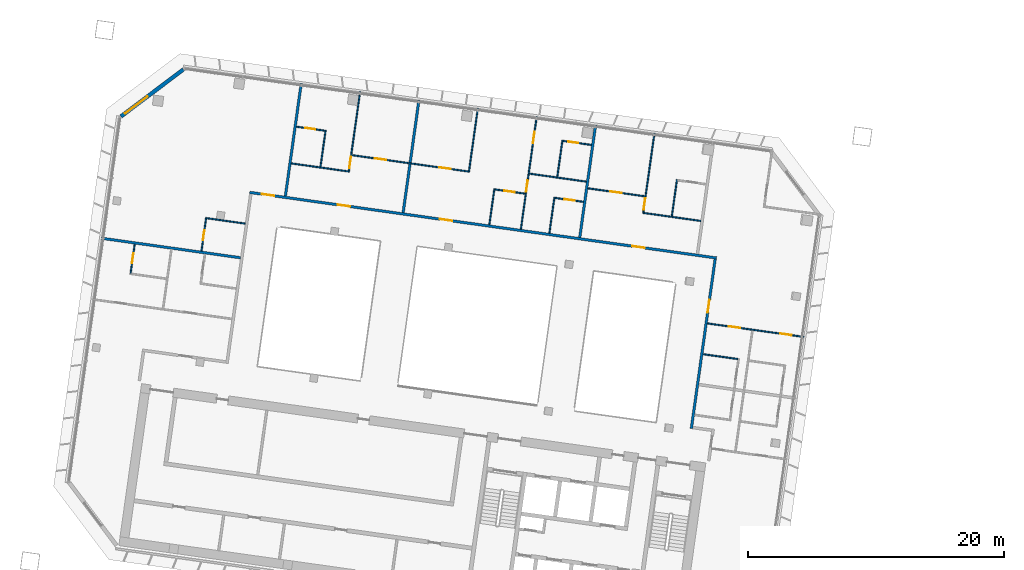
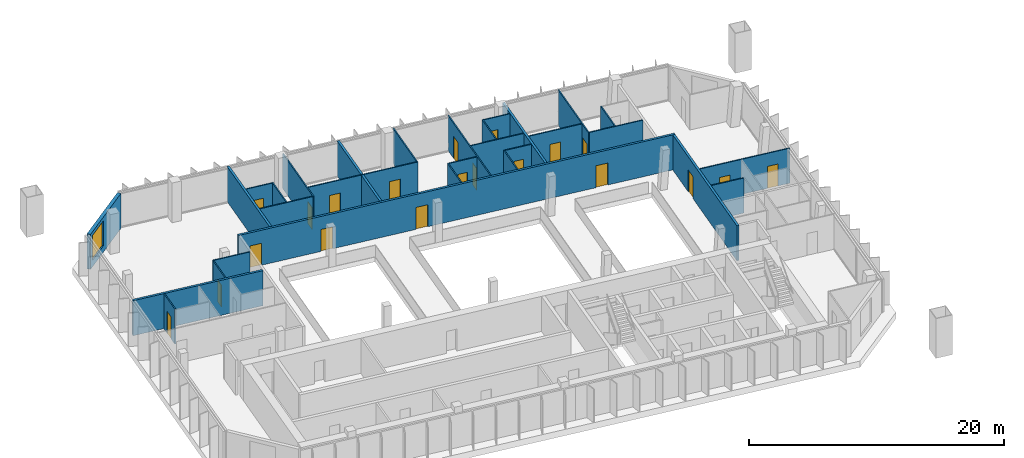
# One storey, part 15 of 23: 30 walls, 20 doors, 1 window, 21 openings.
"""IFC4 building model written with IfcOpenShell, lengths in metres."""

from ifc_helpers import new_model, si_unit, direction, frame, frame_2d, origin, place, context, subcontext, project, spatial, rectangle, extrude, material, layer, layer_set, type_object, element, fill, save


model = new_model("IFC4")

# Units and contexts
model_context = context("Model", 3, precision=1e-05, world=origin(), true_north=direction((0.0, 1.0)))
body_context = subcontext(model_context, "Body", "Model", "MODEL_VIEW")
ifc_project = project(units=[si_unit("LENGTHUNIT", "METRE"), si_unit("AREAUNIT", "SQUARE_METRE"), si_unit("VOLUMEUNIT", "CUBIC_METRE"), si_unit("PLANEANGLEUNIT", "RADIAN"), si_unit("MASSUNIT", "GRAM", prefix="KILO")], contexts=[model_context])

# Site, building, storey
site_placement = place(None, origin())
site = spatial("IfcSite", under=ifc_project, at=site_placement, CompositionType="ELEMENT")
building_placement = place(site_placement, origin())
building = spatial("IfcBuilding", under=site, at=building_placement, Name="Mirante Cascada Hotel Towers", CompositionType="ELEMENT")
storey_placement = place(building_placement, frame((0.0, 0.0, 187.8)))
storey = spatial("IfcBuildingStorey", under=building, at=storey_placement, Name="L44", CompositionType="ELEMENT", Elevation=187.8)

# Wall
ifc_material_1 = material(Name="Fire-rated plasterboard on metal studs")
ifc_layer_1 = layer(ifc_material_1, 0.2)
ifc_layer_set_1 = layer_set([ifc_layer_1], Name="Compartment wall 200 EI 120")
wall_type_1 = type_object("IfcWallType", Name="Compartment wall 200 EI 120", PredefinedType="PARTITIONING", material=ifc_layer_set_1)
wall_1_placement = place(storey_placement, frame((-82.8018, 10.3016, 0.0), z_axis=(0.0, 0.0, 1.0), x_axis=(0.990268, -0.1391733, 0.0)))
element("IfcWall", 1, at=wall_1_placement, inside=storey, type_object=wall_type_1, Name="Wall 1-L44-14", PredefinedType="PARTITIONING", context=body_context, shape_type="SweptSolid", body=[
    extrude(rectangle(XDim=11.0, YDim=0.2, at=frame_2d((5.5, 0.0))), origin(), (0.0, 0.0, 1.0), 3.35),
])

# Wall, openings, doors
wall_2_placement = place(storey_placement, frame((-71.1898, 13.8871, 0.0), z_axis=(0.0, 0.0, 1.0), x_axis=(0.990268, -0.1391734, 0.0)))
wall_2 = element("IfcWall", 2, at=wall_2_placement, inside=storey, type_object=wall_type_1, Name="Wall 1-L44-16", PredefinedType="PARTITIONING", context=body_context, shape_type="SweptSolid", body=[
    extrude(rectangle(XDim=36.9, YDim=0.2, at=frame_2d((18.45, 0.0))), origin(), (0.0, 0.0, 1.0), 3.35),
])
opening_1_placement = place(wall_2_placement, frame((30.2218, 0.0, 0.0)))
opening_1 = element("IfcOpeningElement", 3, at=opening_1_placement, cuts=wall_2, Name="Opening D1-L44-08", PredefinedType="OPENING", context=body_context, shape_type="SweptSolid", body=[
    extrude(rectangle(XDim=1.0, YDim=2.1, at=frame_2d((0.5, 1.05))), frame((0.0, 0.1, 0.0), z_axis=(0.0, -1.0, 0.0), x_axis=(1.0, 0.0, 0.0)), (0.0, 0.0, 1.0), 0.2),
])
opening_2_placement = place(wall_2_placement, frame((15.0172, 0.0, 0.0)))
opening_2 = element("IfcOpeningElement", 4, at=opening_2_placement, cuts=wall_2, Name="Opening D1-L44-09", PredefinedType="OPENING", context=body_context, shape_type="SweptSolid", body=[
    extrude(rectangle(XDim=1.0, YDim=2.1, at=frame_2d((0.5, 1.05))), frame((0.0, 0.1, 0.0), z_axis=(0.0, -1.0, 0.0), x_axis=(1.0, 0.0, 0.0)), (0.0, 0.0, 1.0), 0.2),
])
opening_3_placement = place(wall_2_placement, frame((6.9582, 0.0, 0.0)))
opening_3 = element("IfcOpeningElement", 5, at=opening_3_placement, cuts=wall_2, Name="Opening D1-L44-10", PredefinedType="OPENING", context=body_context, shape_type="SweptSolid", body=[
    extrude(rectangle(XDim=1.0, YDim=2.1, at=frame_2d((0.5, 1.05))), frame((0.0, 0.1, 0.0), z_axis=(0.0, -1.0, 0.0), x_axis=(1.0, 0.0, 0.0)), (0.0, 0.0, 1.0), 0.2),
])
opening_4_placement = place(wall_2_placement, frame((0.9528, 0.0, 0.0)))
opening_4 = element("IfcOpeningElement", 6, at=opening_4_placement, cuts=wall_2, Name="Opening D1-L44-11", PredefinedType="OPENING", context=body_context, shape_type="SweptSolid", body=[
    extrude(rectangle(XDim=1.0, YDim=2.1, at=frame_2d((0.5, 1.05))), frame((0.0, 0.1, 0.0), z_axis=(0.0, -1.0, 0.0), x_axis=(1.0, 0.0, 0.0)), (0.0, 0.0, 1.0), 0.2),
])
ifc_material_2 = material(Name="Fire-rated timber door leaf", Category="wood")
door_type_1 = type_object("IfcDoorType", Name="Entrance door DG1 1000x2100 EI 60", OperationType="SINGLE_SWING_LEFT", PredefinedType="DOOR", material=ifc_material_2)
door_1_placement = place(opening_1_placement, origin())
door_1 = element("IfcDoor", 7, at=door_1_placement, inside=storey, type_object=door_type_1, Name="Door D1-L44-08", OperationType="SINGLE_SWING_LEFT", OverallHeight=2.1, OverallWidth=1.0, PredefinedType="DOOR", context=body_context, shape_type="SweptSolid", body=[
    extrude(rectangle(XDim=1.0, YDim=2.1, at=frame_2d((0.5, 1.05))), frame((0.0, 0.025, 0.0), z_axis=(0.0, -1.0, 0.0), x_axis=(1.0, 0.0, 0.0)), (0.0, 0.0, 1.0), 0.05),
])
fill(opening_1, door_1)
door_2_placement = place(opening_2_placement, origin())
door_2 = element("IfcDoor", 8, at=door_2_placement, inside=storey, type_object=door_type_1, Name="Door D1-L44-09", OperationType="SINGLE_SWING_LEFT", OverallHeight=2.1, OverallWidth=1.0, PredefinedType="DOOR", context=body_context, shape_type="SweptSolid", body=[
    extrude(rectangle(XDim=1.0, YDim=2.1, at=frame_2d((0.5, 1.05))), frame((0.0, 0.025, 0.0), z_axis=(0.0, -1.0, 0.0), x_axis=(1.0, 0.0, 0.0)), (0.0, 0.0, 1.0), 0.05),
])
fill(opening_2, door_2)
door_3_placement = place(opening_3_placement, origin())
door_3 = element("IfcDoor", 9, at=door_3_placement, inside=storey, type_object=door_type_1, Name="Door D1-L44-10", OperationType="SINGLE_SWING_LEFT", OverallHeight=2.1, OverallWidth=1.0, PredefinedType="DOOR", context=body_context, shape_type="SweptSolid", body=[
    extrude(rectangle(XDim=1.0, YDim=2.1, at=frame_2d((0.5, 1.05))), frame((0.0, 0.025, 0.0), z_axis=(0.0, -1.0, 0.0), x_axis=(1.0, 0.0, 0.0)), (0.0, 0.0, 1.0), 0.05),
])
fill(opening_3, door_3)
door_4_placement = place(opening_4_placement, origin())
door_4 = element("IfcDoor", 10, at=door_4_placement, inside=storey, type_object=door_type_1, Name="Door D1-L44-11", OperationType="SINGLE_SWING_LEFT", OverallHeight=2.1, OverallWidth=1.0, PredefinedType="DOOR", context=body_context, shape_type="SweptSolid", body=[
    extrude(rectangle(XDim=1.0, YDim=2.1, at=frame_2d((0.5, 1.05))), frame((0.0, 0.025, 0.0), z_axis=(0.0, -1.0, 0.0), x_axis=(1.0, 0.0, 0.0)), (0.0, 0.0, 1.0), 0.05),
])
fill(opening_4, door_4)

# Wall, opening, door
wall_3_placement = place(storey_placement, frame((-34.7618, 8.6665, 0.0), z_axis=(0.0, 0.0, 1.0), x_axis=(-0.1391789, -0.9902673, 0.0)))
wall_3 = element("IfcWall", 11, at=wall_3_placement, inside=storey, type_object=wall_type_1, Name="Wall 1-L44-34", PredefinedType="PARTITIONING", context=body_context, shape_type="SweptSolid", body=[
    extrude(rectangle(XDim=13.4, YDim=0.2, at=frame_2d((6.7, 0.0))), origin(), (0.0, 0.0, 1.0), 3.35),
])
opening_5_placement = place(wall_3_placement, frame((3.2167, 0.0, 0.0)))
opening_5 = element("IfcOpeningElement", 12, at=opening_5_placement, cuts=wall_3, Name="Opening D1-L44-27", PredefinedType="OPENING", context=body_context, shape_type="SweptSolid", body=[
    extrude(rectangle(XDim=1.0, YDim=2.1, at=frame_2d((0.5, 1.05))), frame((0.0, 0.1, 0.0), z_axis=(0.0, -1.0, 0.0), x_axis=(1.0, 0.0, 0.0)), (0.0, 0.0, 1.0), 0.2),
])
door_5_placement = place(opening_5_placement, origin())
door_5 = element("IfcDoor", 13, at=door_5_placement, inside=storey, type_object=door_type_1, Name="Door D1-L44-27", OperationType="SINGLE_SWING_LEFT", OverallHeight=2.1, OverallWidth=1.0, PredefinedType="DOOR", context=body_context, shape_type="SweptSolid", body=[
    extrude(rectangle(XDim=1.0, YDim=2.1, at=frame_2d((0.5, 1.05))), frame((0.0, 0.025, 0.0), z_axis=(0.0, -1.0, 0.0), x_axis=(1.0, 0.0, 0.0)), (0.0, 0.0, 1.0), 0.05),
])
fill(opening_5, door_5)

# Walls
for number, where, z_axis, x_axis, name in (
    (14, (-44.1218, 19.1714, 0.0), (0.0, 0.0, 1.0), (-0.1391794, -0.9902672, 0.0), "Wall 1-L44-38"),
    (15, (-57.9442, 21.114, 0.0), (0.0, 0.0, 1.0), (-0.1391684, -0.9902687, 0.0), "Wall 1-L44-44"),
    (16, (-68.3977, 13.5957, 0.0), (0.0, 0.0, 1.0), (0.1391794, 0.9902672, 0.0), "Wall 1-L44-47"),
):
    element("IfcWall", number, at=place(storey_placement, frame(where, z_axis=z_axis, x_axis=x_axis)), inside=storey, type_object=wall_type_1, Name=name, PredefinedType="PARTITIONING", context=body_context, shape_type="SweptSolid", body=[
        extrude(rectangle(XDim=8.9, YDim=0.2, at=frame_2d((4.45, 0.0))), origin(), (0.0, 0.0, 1.0), 3.35),
    ])
ifc_material_3 = material(Name="Plasterboard on metal studs")
ifc_layer_2 = layer(ifc_material_3, 0.1)
ifc_layer_set_2 = layer_set([ifc_layer_2], Name="Partition 100")
wall_type_2 = type_object("IfcWallType", Name="Partition 100", PredefinedType="PARTITIONING", material=ifc_layer_set_2)
wall_4_placement = place(storey_placement, frame((-35.7066, 1.2256, 0.0), z_axis=(0.0, 0.0, 1.0), x_axis=(0.9902691, -0.1391657, 0.0)))
element("IfcWall", 17, at=wall_4_placement, inside=storey, type_object=wall_type_2, Name="Wall 1-L44-10", PredefinedType="PARTITIONING", context=body_context, shape_type="SweptSolid", body=[
    extrude(rectangle(XDim=2.75, YDim=0.1, at=frame_2d((1.375, 0.0))), origin(), (0.0, 0.0, 1.0), 3.35),
])

# Wall, openings, doors
wall_5_placement = place(storey_placement, frame((-27.8148, 2.5737, 0.0), z_axis=(0.0, 0.0, 1.0), x_axis=(-0.9902687, 0.1391689, 0.0)))
wall_5 = element("IfcWall", 18, at=wall_5_placement, inside=storey, type_object=wall_type_2, Name="Wall 1-L44-13", PredefinedType="PARTITIONING", context=body_context, shape_type="SweptSolid", body=[
    extrude(rectangle(XDim=7.6274, YDim=0.1, at=frame_2d((3.8137, 0.0))), origin(), (0.0, 0.0, 1.0), 3.35),
])
opening_6_placement = place(wall_5_placement, frame((0.9819, 0.0, 0.0)))
opening_6 = element("IfcOpeningElement", 19, at=opening_6_placement, cuts=wall_5, Name="Opening D1-L44-06", PredefinedType="OPENING", context=body_context, shape_type="SweptSolid", body=[
    extrude(rectangle(XDim=0.9, YDim=2.1, at=frame_2d((0.45, 1.05))), frame((0.0, 0.05, 0.0), z_axis=(0.0, -1.0, 0.0), x_axis=(1.0, 0.0, 0.0)), (0.0, 0.0, 1.0), 0.1),
])
opening_7_placement = place(wall_5_placement, frame((5.0456, 0.0, 0.0)))
opening_7 = element("IfcOpeningElement", 20, at=opening_7_placement, cuts=wall_5, Name="Opening D1-L44-07", PredefinedType="OPENING", context=body_context, shape_type="SweptSolid", body=[
    extrude(rectangle(XDim=0.9, YDim=2.1, at=frame_2d((0.45, 1.05))), frame((0.0, 0.05, 0.0), z_axis=(0.0, -1.0, 0.0), x_axis=(1.0, 0.0, 0.0)), (0.0, 0.0, 1.0), 0.1),
])
ifc_material_4 = material(Name="Timber door leaf", Category="wood")
door_type_2 = type_object("IfcDoorType", Name="Room door DG3 900x2100", OperationType="SINGLE_SWING_LEFT", PredefinedType="DOOR", material=ifc_material_4)
door_6_placement = place(opening_6_placement, frame((0.9, 0.0, 0.0), z_axis=(0.0, 0.0, 1.0), x_axis=(-1.0, 0.0, 0.0)))
door_6 = element("IfcDoor", 21, at=door_6_placement, inside=storey, type_object=door_type_2, Name="Door D1-L44-06", OperationType="SINGLE_SWING_RIGHT", OverallHeight=2.1, OverallWidth=0.9, PredefinedType="DOOR", context=body_context, shape_type="SweptSolid", body=[
    extrude(rectangle(XDim=0.9, YDim=2.1, at=frame_2d((0.45, 1.05))), frame((0.0, 0.025, 0.0), z_axis=(0.0, -1.0, 0.0), x_axis=(1.0, 0.0, 0.0)), (0.0, 0.0, 1.0), 0.05),
])
fill(opening_6, door_6)
door_7_placement = place(opening_7_placement, frame((0.9, 0.0, 0.0), z_axis=(0.0, 0.0, 1.0), x_axis=(-1.0, 0.0, 0.0)))
door_7 = element("IfcDoor", 22, at=door_7_placement, inside=storey, type_object=door_type_2, Name="Door D1-L44-07", OperationType="SINGLE_SWING_RIGHT", OverallHeight=2.1, OverallWidth=0.9, PredefinedType="DOOR", context=body_context, shape_type="SweptSolid", body=[
    extrude(rectangle(XDim=0.9, YDim=2.1, at=frame_2d((0.45, 1.05))), frame((0.0, 0.025, 0.0), z_axis=(0.0, -1.0, 0.0), x_axis=(1.0, 0.0, 0.0)), (0.0, 0.0, 1.0), 0.05),
])
fill(opening_7, door_7)

# Walls
wall_6_placement = place(storey_placement, frame((-71.5331, 11.4444, 0.0), z_axis=(0.0, 0.0, 1.0), x_axis=(-0.9902676, 0.1391765, 0.0)))
element("IfcWall", 23, at=wall_6_placement, inside=storey, type_object=wall_type_2, Name="Wall 1-L44-15", PredefinedType="PARTITIONING", context=body_context, shape_type="SweptSolid", body=[
    extrude(rectangle(XDim=3.15, YDim=0.1, at=frame_2d((1.575, 0.0))), origin(), (0.0, 0.0, 1.0), 3.35),
])
for number, where, z_axis, x_axis, name in (
    (24, (-35.8827, 11.6516, 0.0), (0.0, 0.0, 1.0), (-0.9902698, 0.1391606, 0.0), "Wall 1-L44-17"),
    (25, (-67.9368, 16.1565, 0.0), (0.0, 0.0, 1.0), (0.9902668, -0.1391824, 0.0), "Wall 1-L44-18"),
):
    element("IfcWall", number, at=place(storey_placement, frame(where, z_axis=z_axis, x_axis=x_axis)), inside=storey, type_object=wall_type_2, Name=name, PredefinedType="PARTITIONING", context=body_context, shape_type="SweptSolid", body=[
        extrude(rectangle(XDim=4.5027, YDim=0.1, at=frame_2d((2.2514, 0.0))), origin(), (0.0, 0.0, 1.0), 3.35),
    ])

# Wall, opening, door
wall_7_placement = place(storey_placement, frame((-45.0698, 13.1447, 0.0), z_axis=(0.0, 0.0, 1.0), x_axis=(-0.9902705, 0.1391561, 0.0)))
wall_7 = element("IfcWall", 26, at=wall_7_placement, inside=storey, type_object=wall_type_2, Name="Wall 1-L44-19", PredefinedType="PARTITIONING", context=body_context, shape_type="SweptSolid", body=[
    extrude(rectangle(XDim=2.25, YDim=0.1, at=frame_2d((1.125, 0.0))), origin(), (0.0, 0.0, 1.0), 3.35),
])
opening_8_placement = place(wall_7_placement, frame((0.7, 0.0, 0.0)))
opening_8 = element("IfcOpeningElement", 27, at=opening_8_placement, cuts=wall_7, Name="Opening D1-L44-12", PredefinedType="OPENING", context=body_context, shape_type="SweptSolid", body=[
    extrude(rectangle(XDim=0.8, YDim=2.1, at=frame_2d((0.4, 1.05))), frame((0.0, 0.05, 0.0), z_axis=(0.0, -1.0, 0.0), x_axis=(1.0, 0.0, 0.0)), (0.0, 0.0, 1.0), 0.1),
])
ifc_material_5 = material(Name="Timber door leaf", Category="wood")
door_type_3 = type_object("IfcDoorType", Name="Bathroom door DG4 800x2100", OperationType="SINGLE_SWING_LEFT", PredefinedType="DOOR", material=ifc_material_5)
door_8_placement = place(opening_8_placement, origin())
door_8 = element("IfcDoor", 28, at=door_8_placement, inside=storey, type_object=door_type_3, Name="Door D1-L44-12", OperationType="SINGLE_SWING_LEFT", OverallHeight=2.1, OverallWidth=0.8, PredefinedType="DOOR", context=body_context, shape_type="SweptSolid", body=[
    extrude(rectangle(XDim=0.8, YDim=2.1, at=frame_2d((0.4, 1.05))), frame((0.0, 0.025, 0.0), z_axis=(0.0, -1.0, 0.0), x_axis=(1.0, 0.0, 0.0)), (0.0, 0.0, 1.0), 0.05),
])
fill(opening_8, door_8)

wall_8_placement = place(storey_placement, frame((-51.9974, 14.1183, 0.0), z_axis=(0.0, 0.0, 1.0), x_axis=(0.9902704, -0.1391569, 0.0)))
wall_8 = element("IfcWall", 29, at=wall_8_placement, inside=storey, type_object=wall_type_2, Name="Wall 1-L44-20", PredefinedType="PARTITIONING", context=body_context, shape_type="SweptSolid", body=[
    extrude(rectangle(XDim=2.393, YDim=0.1, at=frame_2d((1.1965, 0.0))), origin(), (0.0, 0.0, 1.0), 3.35),
])
opening_9_placement = place(wall_8_placement, frame((0.75, 0.0, 0.0)))
opening_9 = element("IfcOpeningElement", 30, at=opening_9_placement, cuts=wall_8, Name="Opening D1-L44-13", PredefinedType="OPENING", context=body_context, shape_type="SweptSolid", body=[
    extrude(rectangle(XDim=0.8, YDim=2.1, at=frame_2d((0.4, 1.05))), frame((0.0, 0.05, 0.0), z_axis=(0.0, -1.0, 0.0), x_axis=(1.0, 0.0, 0.0)), (0.0, 0.0, 1.0), 0.1),
])
door_9_placement = place(opening_9_placement, origin())
door_9 = element("IfcDoor", 31, at=door_9_placement, inside=storey, type_object=door_type_3, Name="Door D1-L44-13", OperationType="SINGLE_SWING_LEFT", OverallHeight=2.1, OverallWidth=0.8, PredefinedType="DOOR", context=body_context, shape_type="SweptSolid", body=[
    extrude(rectangle(XDim=0.8, YDim=2.1, at=frame_2d((0.4, 1.05))), frame((0.0, 0.025, 0.0), z_axis=(0.0, -1.0, 0.0), x_axis=(1.0, 0.0, 0.0)), (0.0, 0.0, 1.0), 0.05),
])
fill(opening_9, door_9)

wall_9_placement = place(storey_placement, frame((-40.2597, 13.5795, 0.0), z_axis=(0.0, 0.0, 1.0), x_axis=(-0.9902672, 0.1391793, 0.0)))
wall_9 = element("IfcWall", 32, at=wall_9_placement, inside=storey, type_object=wall_type_2, Name="Wall 1-L44-21", PredefinedType="PARTITIONING", context=body_context, shape_type="SweptSolid", body=[
    extrude(rectangle(XDim=4.5028, YDim=0.1, at=frame_2d((2.2514, 0.0))), origin(), (0.0, 0.0, 1.0), 3.35),
])
opening_10_placement = place(wall_9_placement, frame((1.8264, 0.0, 0.0)))
opening_10 = element("IfcOpeningElement", 33, at=opening_10_placement, cuts=wall_9, Name="Opening D1-L44-14", PredefinedType="OPENING", context=body_context, shape_type="SweptSolid", body=[
    extrude(rectangle(XDim=0.9, YDim=2.1, at=frame_2d((0.45, 1.05))), frame((0.0, 0.05, 0.0), z_axis=(0.0, -1.0, 0.0), x_axis=(1.0, 0.0, 0.0)), (0.0, 0.0, 1.0), 0.1),
])
door_10_placement = place(opening_10_placement, origin())
door_10 = element("IfcDoor", 34, at=door_10_placement, inside=storey, type_object=door_type_2, Name="Door D1-L44-14", OperationType="SINGLE_SWING_LEFT", OverallHeight=2.1, OverallWidth=0.9, PredefinedType="DOOR", context=body_context, shape_type="SweptSolid", body=[
    extrude(rectangle(XDim=0.9, YDim=2.1, at=frame_2d((0.45, 1.05))), frame((0.0, 0.025, 0.0), z_axis=(0.0, -1.0, 0.0), x_axis=(1.0, 0.0, 0.0)), (0.0, 0.0, 1.0), 0.05),
])
fill(opening_10, door_10)

# Wall, openings, doors
wall_10_placement = place(storey_placement, frame((-63.198, 16.8033, 0.0), z_axis=(0.0, 0.0, 1.0), x_axis=(0.9902678, -0.1391748, 0.0)))
wall_10 = element("IfcWall", 35, at=wall_10_placement, inside=storey, type_object=wall_type_2, Name="Wall 1-L44-22", PredefinedType="PARTITIONING", context=body_context, shape_type="SweptSolid", body=[
    extrude(rectangle(XDim=9.3056, YDim=0.1, at=frame_2d((4.6528, 0.0))), origin(), (0.0, 0.0, 1.0), 3.35),
])
opening_11_placement = place(wall_10_placement, frame((6.9027, 0.0, 0.0)))
opening_11 = element("IfcOpeningElement", 36, at=opening_11_placement, cuts=wall_10, Name="Opening D1-L44-15", PredefinedType="OPENING", context=body_context, shape_type="SweptSolid", body=[
    extrude(rectangle(XDim=0.9, YDim=2.1, at=frame_2d((0.45, 1.05))), frame((0.0, 0.05, 0.0), z_axis=(0.0, -1.0, 0.0), x_axis=(1.0, 0.0, 0.0)), (0.0, 0.0, 1.0), 0.1),
])
opening_12_placement = place(wall_10_placement, frame((1.8264, 0.0, 0.0)))
opening_12 = element("IfcOpeningElement", 37, at=opening_12_placement, cuts=wall_10, Name="Opening D1-L44-16", PredefinedType="OPENING", context=body_context, shape_type="SweptSolid", body=[
    extrude(rectangle(XDim=0.9, YDim=2.1, at=frame_2d((0.45, 1.05))), frame((0.0, 0.05, 0.0), z_axis=(0.0, -1.0, 0.0), x_axis=(1.0, 0.0, 0.0)), (0.0, 0.0, 1.0), 0.1),
])
door_11_placement = place(opening_11_placement, origin())
door_11 = element("IfcDoor", 38, at=door_11_placement, inside=storey, type_object=door_type_2, Name="Door D1-L44-15", OperationType="SINGLE_SWING_LEFT", OverallHeight=2.1, OverallWidth=0.9, PredefinedType="DOOR", context=body_context, shape_type="SweptSolid", body=[
    extrude(rectangle(XDim=0.9, YDim=2.1, at=frame_2d((0.45, 1.05))), frame((0.0, 0.025, 0.0), z_axis=(0.0, -1.0, 0.0), x_axis=(1.0, 0.0, 0.0)), (0.0, 0.0, 1.0), 0.05),
])
fill(opening_11, door_11)
door_12_placement = place(opening_12_placement, frame((0.9, 0.0, 0.0), z_axis=(0.0, 0.0, 1.0), x_axis=(-1.0, 0.0, 0.0)))
door_12 = element("IfcDoor", 39, at=door_12_placement, inside=storey, type_object=door_type_2, Name="Door D1-L44-16", OperationType="SINGLE_SWING_RIGHT", OverallHeight=2.1, OverallWidth=0.9, PredefinedType="DOOR", context=body_context, shape_type="SweptSolid", body=[
    extrude(rectangle(XDim=0.9, YDim=2.1, at=frame_2d((0.45, 1.05))), frame((0.0, 0.025, 0.0), z_axis=(0.0, -1.0, 0.0), x_axis=(1.0, 0.0, 0.0)), (0.0, 0.0, 1.0), 0.05),
])
fill(opening_12, door_12)

# Wall
wall_11_placement = place(storey_placement, frame((-49.306, 15.3558, 0.0), z_axis=(0.0, 0.0, 1.0), x_axis=(0.9902668, -0.1391824, 0.0)))
element("IfcWall", 40, at=wall_11_placement, inside=storey, type_object=wall_type_2, Name="Wall 1-L44-24", PredefinedType="PARTITIONING", context=body_context, shape_type="SweptSolid", body=[
    extrude(rectangle(XDim=4.5027, YDim=0.1, at=frame_2d((2.2514, 0.0))), origin(), (0.0, 0.0, 1.0), 3.35),
])

# Wall, opening, door
wall_12_placement = place(storey_placement, frame((-67.5332, 19.0283, 0.0), z_axis=(0.0, 0.0, 1.0), x_axis=(0.9902643, -0.1391997, 0.0)))
wall_12 = element("IfcWall", 41, at=wall_12_placement, inside=storey, type_object=wall_type_2, Name="Wall 1-L44-26", PredefinedType="PARTITIONING", context=body_context, shape_type="SweptSolid", body=[
    extrude(rectangle(XDim=2.25, YDim=0.1, at=frame_2d((1.125, 0.0))), origin(), (0.0, 0.0, 1.0), 3.35),
])
opening_13_placement = place(wall_12_placement, frame((0.7, 0.0, 0.0)))
opening_13 = element("IfcOpeningElement", 42, at=opening_13_placement, cuts=wall_12, Name="Opening D1-L44-18", PredefinedType="OPENING", context=body_context, shape_type="SweptSolid", body=[
    extrude(rectangle(XDim=0.8, YDim=2.1, at=frame_2d((0.4, 1.05))), frame((0.0, 0.05, 0.0), z_axis=(0.0, -1.0, 0.0), x_axis=(1.0, 0.0, 0.0)), (0.0, 0.0, 1.0), 0.1),
])
door_13_placement = place(opening_13_placement, origin())
door_13 = element("IfcDoor", 43, at=door_13_placement, inside=storey, type_object=door_type_3, Name="Door D1-L44-18", OperationType="SINGLE_SWING_LEFT", OverallHeight=2.1, OverallWidth=0.8, PredefinedType="DOOR", context=body_context, shape_type="SweptSolid", body=[
    extrude(rectangle(XDim=0.8, YDim=2.1, at=frame_2d((0.4, 1.05))), frame((0.0, 0.025, 0.0), z_axis=(0.0, -1.0, 0.0), x_axis=(1.0, 0.0, 0.0)), (0.0, 0.0, 1.0), 0.05),
])
fill(opening_13, door_13)

wall_13_placement = place(storey_placement, frame((-44.4435, 17.6009, 0.0), z_axis=(0.0, 0.0, 1.0), x_axis=(-0.9902705, 0.1391561, 0.0)))
wall_13 = element("IfcWall", 44, at=wall_13_placement, inside=storey, type_object=wall_type_2, Name="Wall 1-L44-27", PredefinedType="PARTITIONING", context=body_context, shape_type="SweptSolid", body=[
    extrude(rectangle(XDim=2.25, YDim=0.1, at=frame_2d((1.125, 0.0))), origin(), (0.0, 0.0, 1.0), 3.35),
])
opening_14_placement = place(wall_13_placement, frame((1.05, 0.0, 0.0)))
opening_14 = element("IfcOpeningElement", 45, at=opening_14_placement, cuts=wall_13, Name="Opening D1-L44-19", PredefinedType="OPENING", context=body_context, shape_type="SweptSolid", body=[
    extrude(rectangle(XDim=0.8, YDim=2.1, at=frame_2d((0.4, 1.05))), frame((0.0, 0.05, 0.0), z_axis=(0.0, -1.0, 0.0), x_axis=(1.0, 0.0, 0.0)), (0.0, 0.0, 1.0), 0.1),
])
door_14_placement = place(opening_14_placement, origin())
door_14 = element("IfcDoor", 46, at=door_14_placement, inside=storey, type_object=door_type_3, Name="Door D1-L44-19", OperationType="SINGLE_SWING_LEFT", OverallHeight=2.1, OverallWidth=0.8, PredefinedType="DOOR", context=body_context, shape_type="SweptSolid", body=[
    extrude(rectangle(XDim=0.8, YDim=2.1, at=frame_2d((0.4, 1.05))), frame((0.0, 0.025, 0.0), z_axis=(0.0, -1.0, 0.0), x_axis=(1.0, 0.0, 0.0)), (0.0, 0.0, 1.0), 0.05),
])
fill(opening_14, door_14)

# Wall
wall_14_placement = place(storey_placement, frame((-37.7498, 14.893, 0.0), z_axis=(0.0, 0.0, 1.0), x_axis=(-0.1391714, -0.9902683, 0.0)))
element("IfcWall", 47, at=wall_14_placement, inside=storey, type_object=wall_type_2, Name="Wall 1-L44-36", PredefinedType="PARTITIONING", context=body_context, shape_type="SweptSolid", body=[
    extrude(rectangle(XDim=2.9, YDim=0.1, at=frame_2d((1.45, 0.0))), origin(), (0.0, 0.0, 1.0), 3.35),
])

# Wall, opening, door
wall_15_placement = place(storey_placement, frame((-40.3981, 12.2357, 0.0), z_axis=(0.0, 0.0, 1.0), x_axis=(0.139181, 0.990267, 0.0)))
wall_15 = element("IfcWall", 48, at=wall_15_placement, inside=storey, type_object=wall_type_2, Name="Wall 1-L44-37", PredefinedType="PARTITIONING", context=body_context, shape_type="SweptSolid", body=[
    extrude(rectangle(XDim=6.35, YDim=0.1, at=frame_2d((3.175, 0.0))), origin(), (0.0, 0.0, 1.0), 3.35),
])
opening_15_placement = place(wall_15_placement, frame((0.3, 0.0, 0.0)))
opening_15 = element("IfcOpeningElement", 49, at=opening_15_placement, cuts=wall_15, Name="Opening D1-L44-28", PredefinedType="OPENING", context=body_context, shape_type="SweptSolid", body=[
    extrude(rectangle(XDim=0.9, YDim=2.1, at=frame_2d((0.45, 1.05))), frame((0.0, 0.05, 0.0), z_axis=(0.0, -1.0, 0.0), x_axis=(1.0, 0.0, 0.0)), (0.0, 0.0, 1.0), 0.1),
])
door_15_placement = place(opening_15_placement, origin())
door_15 = element("IfcDoor", 50, at=door_15_placement, inside=storey, type_object=door_type_2, Name="Door D1-L44-28", OperationType="SINGLE_SWING_LEFT", OverallHeight=2.1, OverallWidth=0.9, PredefinedType="DOOR", context=body_context, shape_type="SweptSolid", body=[
    extrude(rectangle(XDim=0.9, YDim=2.1, at=frame_2d((0.45, 1.05))), frame((0.0, 0.025, 0.0), z_axis=(0.0, -1.0, 0.0), x_axis=(1.0, 0.0, 0.0)), (0.0, 0.0, 1.0), 0.05),
])
fill(opening_15, door_15)

# Walls
wall_16_placement = place(storey_placement, frame((-47.7371, 10.692, 0.0), z_axis=(0.0, 0.0, 1.0), x_axis=(0.1391564, 0.9902704, 0.0)))
element("IfcWall", 51, at=wall_16_placement, inside=storey, type_object=wall_type_2, Name="Wall 1-L44-39", PredefinedType="PARTITIONING", context=body_context, shape_type="SweptSolid", body=[
    extrude(rectangle(XDim=2.85, YDim=0.1, at=frame_2d((1.425, 0.0))), origin(), (0.0, 0.0, 1.0), 3.35),
])
wall_17_placement = place(storey_placement, frame((-46.7142, 17.9705, 0.0), z_axis=(0.0, 0.0, 1.0), x_axis=(-0.1391714, -0.9902683, 0.0)))
element("IfcWall", 52, at=wall_17_placement, inside=storey, type_object=wall_type_2, Name="Wall 1-L44-40", PredefinedType="PARTITIONING", context=body_context, shape_type="SweptSolid", body=[
    extrude(rectangle(XDim=2.9, YDim=0.1, at=frame_2d((1.45, 0.0))), origin(), (0.0, 0.0, 1.0), 3.35),
])

# Wall, openings, doors
wall_18_placement = place(storey_placement, frame((-49.9679, 11.0056, 0.0), z_axis=(0.0, 0.0, 1.0), x_axis=(0.13917, 0.9902685, 0.0)))
wall_18 = element("IfcWall", 53, at=wall_18_placement, inside=storey, type_object=wall_type_2, Name="Wall 1-L44-41", PredefinedType="PARTITIONING", context=body_context, shape_type="SweptSolid", body=[
    extrude(rectangle(XDim=8.8999, YDim=0.1, at=frame_2d((4.45, 0.0))), origin(), (0.0, 0.0, 1.0), 3.35),
])
opening_16_placement = place(wall_18_placement, frame((2.95, 0.0, 0.0)))
opening_16 = element("IfcOpeningElement", 54, at=opening_16_placement, cuts=wall_18, Name="Opening D1-L44-29", PredefinedType="OPENING", context=body_context, shape_type="SweptSolid", body=[
    extrude(rectangle(XDim=0.9, YDim=2.1, at=frame_2d((0.45, 1.05))), frame((0.0, 0.05, 0.0), z_axis=(0.0, -1.0, 0.0), x_axis=(1.0, 0.0, 0.0)), (0.0, 0.0, 1.0), 0.1),
])
opening_17_placement = place(wall_18_placement, frame((6.8, 0.0, 0.0)))
opening_17 = element("IfcOpeningElement", 55, at=opening_17_placement, cuts=wall_18, Name="Opening D1-L44-30", PredefinedType="OPENING", context=body_context, shape_type="SweptSolid", body=[
    extrude(rectangle(XDim=0.9, YDim=2.1, at=frame_2d((0.45, 1.05))), frame((0.0, 0.05, 0.0), z_axis=(0.0, -1.0, 0.0), x_axis=(1.0, 0.0, 0.0)), (0.0, 0.0, 1.0), 0.1),
])
door_16_placement = place(opening_16_placement, origin())
door_16 = element("IfcDoor", 56, at=door_16_placement, inside=storey, type_object=door_type_2, Name="Door D1-L44-29", OperationType="SINGLE_SWING_LEFT", OverallHeight=2.1, OverallWidth=0.9, PredefinedType="DOOR", context=body_context, shape_type="SweptSolid", body=[
    extrude(rectangle(XDim=0.9, YDim=2.1, at=frame_2d((0.45, 1.05))), frame((0.0, 0.025, 0.0), z_axis=(0.0, -1.0, 0.0), x_axis=(1.0, 0.0, 0.0)), (0.0, 0.0, 1.0), 0.05),
])
fill(opening_16, door_16)
door_17_placement = place(opening_17_placement, origin())
door_17 = element("IfcDoor", 57, at=door_17_placement, inside=storey, type_object=door_type_2, Name="Door D1-L44-30", OperationType="SINGLE_SWING_LEFT", OverallHeight=2.1, OverallWidth=0.9, PredefinedType="DOOR", context=body_context, shape_type="SweptSolid", body=[
    extrude(rectangle(XDim=0.9, YDim=2.1, at=frame_2d((0.45, 1.05))), frame((0.0, 0.025, 0.0), z_axis=(0.0, -1.0, 0.0), x_axis=(1.0, 0.0, 0.0)), (0.0, 0.0, 1.0), 0.05),
])
fill(opening_17, door_17)

# Walls
wall_19_placement = place(storey_placement, frame((-52.04, 14.1748, 0.0), z_axis=(0.0, 0.0, 1.0), x_axis=(-0.1391564, -0.9902704, 0.0)))
element("IfcWall", 58, at=wall_19_placement, inside=storey, type_object=wall_type_2, Name="Wall 1-L44-42", PredefinedType="PARTITIONING", context=body_context, shape_type="SweptSolid", body=[
    extrude(rectangle(XDim=2.85, YDim=0.1, at=frame_2d((1.425, 0.0))), origin(), (0.0, 0.0, 1.0), 3.35),
])
wall_20_placement = place(storey_placement, frame((-54.0256, 15.5647, 0.0), z_axis=(0.0, 0.0, 1.0), x_axis=(0.1391725, 0.9902682, 0.0)))
element("IfcWall", 59, at=wall_20_placement, inside=storey, type_object=wall_type_2, Name="Wall 1-L44-43", PredefinedType="PARTITIONING", context=body_context, shape_type="SweptSolid", body=[
    extrude(rectangle(XDim=4.95, YDim=0.1, at=frame_2d((2.475, 0.0))), origin(), (0.0, 0.0, 1.0), 3.35),
])

# Wall, opening, door
wall_21_placement = place(storey_placement, frame((-63.4354, 15.4734, 0.0), z_axis=(0.0, 0.0, 1.0), x_axis=(0.139181, 0.990267, 0.0)))
wall_21 = element("IfcWall", 60, at=wall_21_placement, inside=storey, type_object=wall_type_2, Name="Wall 1-L44-45", PredefinedType="PARTITIONING", context=body_context, shape_type="SweptSolid", body=[
    extrude(rectangle(XDim=6.35, YDim=0.1, at=frame_2d((3.175, 0.0))), origin(), (0.0, 0.0, 1.0), 3.35),
])
opening_18_placement = place(wall_21_placement, frame((0.3, 0.0, 0.0)))
opening_18 = element("IfcOpeningElement", 61, at=opening_18_placement, cuts=wall_21, Name="Opening D1-L44-31", PredefinedType="OPENING", context=body_context, shape_type="SweptSolid", body=[
    extrude(rectangle(XDim=0.9, YDim=2.1, at=frame_2d((0.45, 1.05))), frame((0.0, 0.05, 0.0), z_axis=(0.0, -1.0, 0.0), x_axis=(1.0, 0.0, 0.0)), (0.0, 0.0, 1.0), 0.1),
])
door_18_placement = place(opening_18_placement, frame((0.9, 0.0, 0.0), z_axis=(0.0, 0.0, 1.0), x_axis=(-1.0, 0.0, 0.0)))
door_18 = element("IfcDoor", 62, at=door_18_placement, inside=storey, type_object=door_type_2, Name="Door D1-L44-31", OperationType="SINGLE_SWING_RIGHT", OverallHeight=2.1, OverallWidth=0.9, PredefinedType="DOOR", context=body_context, shape_type="SweptSolid", body=[
    extrude(rectangle(XDim=0.9, YDim=2.1, at=frame_2d((0.45, 1.05))), frame((0.0, 0.025, 0.0), z_axis=(0.0, -1.0, 0.0), x_axis=(1.0, 0.0, 0.0)), (0.0, 0.0, 1.0), 0.05),
])
fill(opening_18, door_18)

# Wall
wall_22_placement = place(storey_placement, frame((-65.2486, 18.7577, 0.0), z_axis=(0.0, 0.0, 1.0), x_axis=(-0.1391714, -0.9902683, 0.0)))
element("IfcWall", 63, at=wall_22_placement, inside=storey, type_object=wall_type_2, Name="Wall 1-L44-46", PredefinedType="PARTITIONING", context=body_context, shape_type="SweptSolid", body=[
    extrude(rectangle(XDim=2.9, YDim=0.1, at=frame_2d((1.45, 0.0))), origin(), (0.0, 0.0, 1.0), 3.35),
])

# Wall, opening, door
wall_23_placement = place(storey_placement, frame((-74.6099, 11.8264, 0.0), z_axis=(0.0, 0.0, 1.0), x_axis=(-0.1391755, -0.9902677, 0.0)))
wall_23 = element("IfcWall", 64, at=wall_23_placement, inside=storey, type_object=wall_type_2, Name="Wall 1-L44-50", PredefinedType="PARTITIONING", context=body_context, shape_type="SweptSolid", body=[
    extrude(rectangle(XDim=2.55, YDim=0.1, at=frame_2d((1.275, 0.0))), origin(), (0.0, 0.0, 1.0), 3.35),
])
opening_19_placement = place(wall_23_placement, frame((0.9, 0.0, 0.0)))
opening_19 = element("IfcOpeningElement", 65, at=opening_19_placement, cuts=wall_23, Name="Opening D1-L44-33", PredefinedType="OPENING", context=body_context, shape_type="SweptSolid", body=[
    extrude(rectangle(XDim=0.8, YDim=2.1, at=frame_2d((0.4, 1.05))), frame((0.0, 0.05, 0.0), z_axis=(0.0, -1.0, 0.0), x_axis=(1.0, 0.0, 0.0)), (0.0, 0.0, 1.0), 0.1),
])
door_19_placement = place(opening_19_placement, frame((0.8, 0.0, 0.0), z_axis=(0.0, 0.0, 1.0), x_axis=(-1.0, 0.0, 0.0)))
door_19 = element("IfcDoor", 66, at=door_19_placement, inside=storey, type_object=door_type_3, Name="Door D1-L44-33", OperationType="SINGLE_SWING_RIGHT", OverallHeight=2.1, OverallWidth=0.8, PredefinedType="DOOR", context=body_context, shape_type="SweptSolid", body=[
    extrude(rectangle(XDim=0.8, YDim=2.1, at=frame_2d((0.4, 1.05))), frame((0.0, 0.025, 0.0), z_axis=(0.0, -1.0, 0.0), x_axis=(1.0, 0.0, 0.0)), (0.0, 0.0, 1.0), 0.05),
])
fill(opening_19, door_19)

wall_24_placement = place(storey_placement, frame((-80.5093, 7.5727, 0.0), z_axis=(0.0, 0.0, 1.0), x_axis=(0.139183, 0.9902667, 0.0)))
wall_24 = element("IfcWall", 67, at=wall_24_placement, inside=storey, type_object=wall_type_2, Name="Wall 1-L44-53", PredefinedType="PARTITIONING", context=body_context, shape_type="SweptSolid", body=[
    extrude(rectangle(XDim=2.2833, YDim=0.1, at=frame_2d((1.1416, 0.0))), origin(), (0.0, 0.0, 1.0), 3.35),
])
opening_20_placement = place(wall_24_placement, frame((0.7833, 0.0, 0.0)))
opening_20 = element("IfcOpeningElement", 68, at=opening_20_placement, cuts=wall_24, Name="Opening D1-L44-34", PredefinedType="OPENING", context=body_context, shape_type="SweptSolid", body=[
    extrude(rectangle(XDim=0.8, YDim=2.1, at=frame_2d((0.4, 1.05))), frame((0.0, 0.05, 0.0), z_axis=(0.0, -1.0, 0.0), x_axis=(1.0, 0.0, 0.0)), (0.0, 0.0, 1.0), 0.1),
])
door_20_placement = place(opening_20_placement, origin())
door_20 = element("IfcDoor", 69, at=door_20_placement, inside=storey, type_object=door_type_3, Name="Door D1-L44-34", OperationType="SINGLE_SWING_LEFT", OverallHeight=2.1, OverallWidth=0.8, PredefinedType="DOOR", context=body_context, shape_type="SweptSolid", body=[
    extrude(rectangle(XDim=0.8, YDim=2.1, at=frame_2d((0.4, 1.05))), frame((0.0, 0.025, 0.0), z_axis=(0.0, -1.0, 0.0), x_axis=(1.0, 0.0, 0.0)), (0.0, 0.0, 1.0), 0.05),
])
fill(opening_20, door_20)

# Wall, opening, window
ifc_material_6 = material(Name="Precast concrete C40/50", Category="concrete")
ifc_layer_3 = layer(ifc_material_6, 0.3)
ifc_layer_set_3 = layer_set([ifc_layer_3], Name="Precast concrete C40/50 cladding wall 300")
wall_type_3 = type_object("IfcWallType", Name="Precast concrete C40/50 cladding wall 300", PredefinedType="STANDARD", material=ifc_layer_set_3)
wall_25_placement = place(storey_placement, frame((-81.2671, 19.8291, 0.0), z_axis=(0.0, 0.0, 1.0), x_axis=(0.7986343, 0.6018167, 0.0)))
wall_25 = element("IfcWall", 70, at=wall_25_placement, inside=storey, type_object=wall_type_3, Name="Corner cladding wall T1 L44 outer front", PredefinedType="STANDARD", context=body_context, shape_type="SweptSolid", body=[
    extrude(rectangle(XDim=6.1158, YDim=0.3, at=frame_2d((3.0579, 0.0))), origin(), (0.0, 0.0, 1.0), 3.35),
])
opening_21_placement = place(wall_25_placement, frame((0.3914, 0.0, 0.6)))
opening_21 = element("IfcOpeningElement", 71, at=opening_21_placement, cuts=wall_25, Name="Opening W1-44-02", PredefinedType="OPENING", context=body_context, shape_type="SweptSolid", body=[
    extrude(rectangle(XDim=2.2, YDim=2.4, at=frame_2d((1.1, 1.2))), frame((0.0, 0.15, 0.0), z_axis=(0.0, -1.0, 0.0), x_axis=(1.0, 0.0, 0.0)), (0.0, 0.0, 1.0), 0.3),
])
ifc_material_7 = material(Name="Aluminium frame with clear double glazing", Category="aluminium")
window_type = type_object("IfcWindowType", Name="Corner suite window 2200x2400", PartitioningType="DOUBLE_PANEL_VERTICAL", PredefinedType="WINDOW", material=ifc_material_7)
window_placement = place(opening_21_placement, origin())
window = element("IfcWindow", 72, at=window_placement, inside=storey, type_object=window_type, Name="Window W1-44-02", OverallHeight=2.4, OverallWidth=2.2, PartitioningType="SINGLE_PANEL", PredefinedType="WINDOW", context=body_context, shape_type="SweptSolid", body=[
    extrude(rectangle(XDim=2.2, YDim=2.4, at=frame_2d((1.1, 1.2))), frame((0.0, 0.03, 0.0), z_axis=(0.0, -1.0, 0.0), x_axis=(1.0, 0.0, 0.0)), (0.0, 0.0, 1.0), 0.06),
])
fill(opening_21, window)

save(model, "model.ifc")
